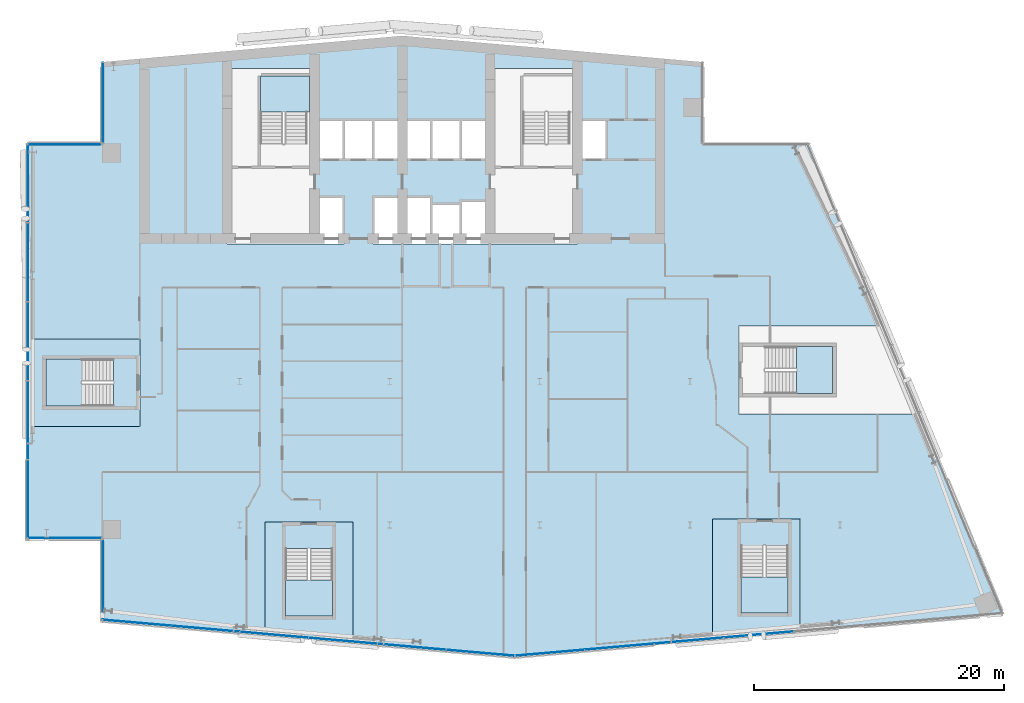
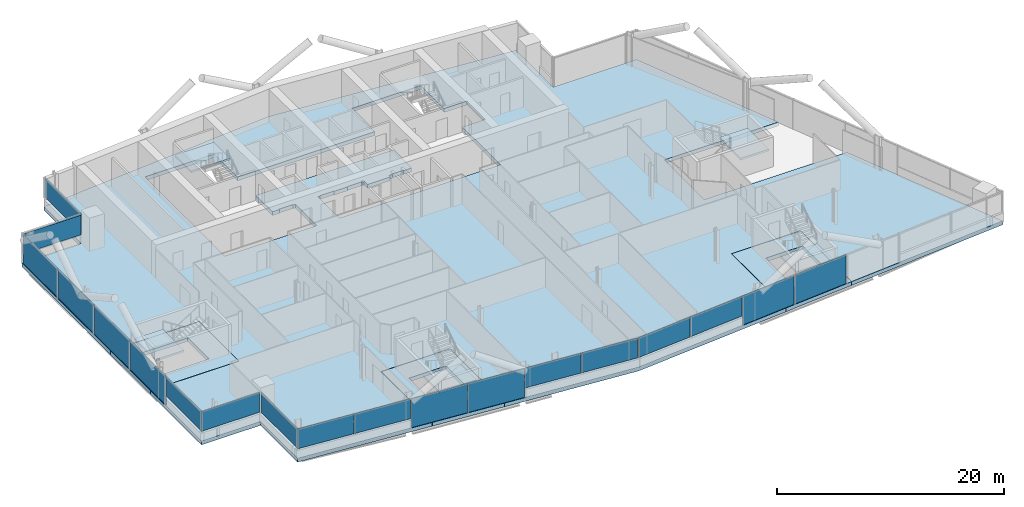
# One storey, part 13 of 26: 19 plates, 9 slabs, 12 elements without a shape of their own.
"""IFC4 building model written with IfcOpenShell, lengths in metres."""

from ifc_helpers import new_model, si_unit, direction, frame, origin, origin_2d, place, context, subcontext, project, spatial, polyline, rectangle, outline, extrude, material, layer, layer_set, type_object, element, aggregate, save


model = new_model("IFC4")

# Units and contexts
model_context = context("Model", 3, precision=1e-05, world=origin(), true_north=direction((0.0, 1.0)))
body_context = subcontext(model_context, "Body", "Model", "MODEL_VIEW")
ifc_project = project(units=[si_unit("LENGTHUNIT", "METRE"), si_unit("AREAUNIT", "SQUARE_METRE"), si_unit("VOLUMEUNIT", "CUBIC_METRE"), si_unit("PLANEANGLEUNIT", "RADIAN"), si_unit("MASSUNIT", "GRAM", prefix="KILO")], contexts=[model_context])

# Site, building, storey
site_placement = place(None, origin())
site = spatial("IfcSite", under=ifc_project, at=site_placement, CompositionType="ELEMENT")
building_placement = place(site_placement, origin())
building = spatial("IfcBuilding", under=site, at=building_placement, Name="Wharfspan Tower", CompositionType="ELEMENT")
storey_placement = place(building_placement, frame((0.0, 0.0, 169.899902)))
storey = spatial("IfcBuildingStorey", under=building, at=storey_placement, Name="L41", CompositionType="ELEMENT", Elevation=169.899902)

# Curtain wall, plates
ifc_material_1 = material(Name="Aluminium 6063-T6", Category="aluminium")
curtain_wall_type_1 = type_object("IfcCurtainWallType", Name="CURTAIN WALL FACETED FRONT", PredefinedType="NOTDEFINED", material=ifc_material_1)
curtain_wall_1_placement = place(storey_placement, origin())
curtain_wall_1 = element("IfcCurtainWall", 1, at=curtain_wall_1_placement, inside=storey, type_object=curtain_wall_type_1, Name="Curtain wall S1", PredefinedType="NOTDEFINED")
ifc_material_2 = material(Name="Glass clear low-iron double glazing", Category="glass")
ifc_layer_1 = layer(ifc_material_2, 0.040039)
ifc_layer_set_1 = layer_set([ifc_layer_1], Name="Glass clear low-iron double glazing")
plate_type_1 = type_object("IfcPlateType", Name="GLASS PANEL FACETED FRONT 40", PredefinedType="CURTAIN_PANEL", material=ifc_layer_set_1)
plate_1_placement = place(storey_placement, frame((15.770264, 3.692871, 1.0), z_axis=(0.0, 0.0, 1.0), x_axis=(0.996198, -0.087156, 0.0)))
plate_1 = element("IfcPlate", 2, at=plate_1_placement, type_object=plate_type_1, Name="Curtain wall S1 panel 1", PredefinedType="CURTAIN_PANEL", context=body_context, shape_type="SweptSolid", body=[
    extrude(rectangle(XDim=5.430908, YDim=0.040039, at=origin_2d()), origin(), (0.0, 0.0, 1.0), 2.120117),
])
plate_2_placement = place(storey_placement, frame((21.255127, 3.213135, 1.0), z_axis=(0.0, 0.0, 1.0), x_axis=(0.996198, -0.087156, 0.0)))
plate_2 = element("IfcPlate", 3, at=plate_2_placement, type_object=plate_type_1, Name="Curtain wall S1 panel 2", PredefinedType="CURTAIN_PANEL", context=body_context, shape_type="SweptSolid", body=[
    extrude(rectangle(XDim=5.460938, YDim=0.040039, at=origin_2d()), origin(), (0.0, 0.0, 1.0), 2.120117),
])
plate_3_placement = place(storey_placement, frame((37.755127, 1.769531, 1.0), z_axis=(0.0, 0.0, 1.0), x_axis=(0.996198, -0.087156, 0.0)))
plate_3 = element("IfcPlate", 4, at=plate_3_placement, type_object=plate_type_1, Name="Curtain wall S1 panel 5", PredefinedType="CURTAIN_PANEL", context=body_context, shape_type="SweptSolid", body=[
    extrude(rectangle(XDim=5.460938, YDim=0.040039, at=origin_2d()), origin(), (0.0, 0.0, 1.0), 2.120117),
])
plate_4_placement = place(storey_placement, frame((43.240234, 1.289551, 1.0), z_axis=(0.0, 0.0, 1.0), x_axis=(0.996198, -0.087156, 0.0)))
plate_4 = element("IfcPlate", 5, at=plate_4_placement, type_object=plate_type_1, Name="Curtain wall S1 panel 6", PredefinedType="CURTAIN_PANEL", context=body_context, shape_type="SweptSolid", body=[
    extrude(rectangle(XDim=5.430908, YDim=0.040039, at=origin_2d()), origin(), (0.0, 0.0, 1.0), 2.120117),
])

curtain_wall_2_placement = place(storey_placement, origin())
curtain_wall_2 = element("IfcCurtainWall", 6, at=curtain_wall_2_placement, inside=storey, type_object=curtain_wall_type_1, Name="Curtain wall S2", PredefinedType="NOTDEFINED")
plate_5_placement = place(storey_placement, frame((48.79541, 1.292725, 1.0), z_axis=(0.0, 0.0, 1.0), x_axis=(0.996198, 0.087156, 0.0)))
plate_5 = element("IfcPlate", 7, at=plate_5_placement, type_object=plate_type_1, Name="Curtain wall S2 panel 1", PredefinedType="CURTAIN_PANEL", context=body_context, shape_type="SweptSolid", body=[
    extrude(rectangle(XDim=5.502686, YDim=0.040039, at=origin_2d()), origin(), (0.0, 0.0, 1.0), 2.120117),
])
plate_6_placement = place(storey_placement, frame((54.351807, 1.778809, 1.0), z_axis=(0.0, 0.0, 1.0), x_axis=(0.996198, 0.087156, 0.0)))
plate_6 = element("IfcPlate", 8, at=plate_6_placement, type_object=plate_type_1, Name="Curtain wall S2 panel 2", PredefinedType="CURTAIN_PANEL", context=body_context, shape_type="SweptSolid", body=[
    extrude(rectangle(XDim=5.532715, YDim=0.040039, at=origin_2d()), origin(), (0.0, 0.0, 1.0), 2.120117),
])

# Curtain wall, plate
curtain_wall_type_2 = type_object("IfcCurtainWallType", Name="CURTAIN WALL PROW AND END", PredefinedType="NOTDEFINED", material=ifc_material_1)
curtain_wall_3_placement = place(storey_placement, origin())
curtain_wall_3 = element("IfcCurtainWall", 9, at=curtain_wall_3_placement, inside=storey, type_object=curtain_wall_type_2, Name="Curtain wall NRW-V", PredefinedType="NOTDEFINED")
ifc_layer_2 = layer(ifc_material_2, 0.040039)
ifc_layer_set_2 = layer_set([ifc_layer_2], Name="Glass clear low-iron double glazing")
plate_type_2 = type_object("IfcPlateType", Name="GLASS PANEL PROW AND END 40", PredefinedType="CURTAIN_PANEL", material=ifc_layer_set_2)
plate_7_placement = place(storey_placement, frame((13.080078, 45.262451, 1.0), z_axis=(0.0, 0.0, 1.0), x_axis=(0.0, -1.0, 0.0)))
plate_7 = element("IfcPlate", 10, at=plate_7_placement, type_object=plate_type_2, Name="Curtain wall NRW-V panel 1", PredefinedType="CURTAIN_PANEL", context=body_context, shape_type="SweptSolid", body=[
    extrude(rectangle(XDim=6.405029, YDim=0.040039, at=origin_2d()), origin(), (0.0, 0.0, 1.0), 2.120117),
])
aggregate(curtain_wall_3, [plate_7])

curtain_wall_4_placement = place(storey_placement, origin())
curtain_wall_4 = element("IfcCurtainWall", 11, at=curtain_wall_4_placement, inside=storey, type_object=curtain_wall_type_2, Name="Curtain wall NRW-H", PredefinedType="NOTDEFINED")
plate_8_placement = place(storey_placement, frame((10.0, 41.919922, 1.0), z_axis=(0.0, 0.0, 1.0), x_axis=(-1.0, 0.0, 0.0)))
plate_8 = element("IfcPlate", 12, at=plate_8_placement, type_object=plate_type_2, Name="Curtain wall NRW-H panel 1", PredefinedType="CURTAIN_PANEL", context=body_context, shape_type="SweptSolid", body=[
    extrude(rectangle(XDim=5.879883, YDim=0.040039, at=origin_2d()), origin(), (0.0, 0.0, 1.0), 2.120117),
])
aggregate(curtain_wall_4, [plate_8])

curtain_wall_5_placement = place(storey_placement, origin())
curtain_wall_5 = element("IfcCurtainWall", 13, at=curtain_wall_5_placement, inside=storey, type_object=curtain_wall_type_2, Name="Curtain wall W", PredefinedType="NOTDEFINED")
plate_9_placement = place(storey_placement, frame((7.080078, 13.574951, 1.0), z_axis=(0.0, 0.0, 1.0), x_axis=(0.0, -1.0, 0.0)))
plate_9 = element("IfcPlate", 14, at=plate_9_placement, type_object=plate_type_2, Name="Curtain wall W panel 5", PredefinedType="CURTAIN_PANEL", context=body_context, shape_type="SweptSolid", body=[
    extrude(rectangle(XDim=6.22998, YDim=0.040039, at=origin_2d()), origin(), (0.0, 0.0, 1.0), 2.120117),
])

curtain_wall_6_placement = place(storey_placement, origin())
curtain_wall_6 = element("IfcCurtainWall", 15, at=curtain_wall_6_placement, inside=storey, type_object=curtain_wall_type_2, Name="Curtain wall NFW-H", PredefinedType="NOTDEFINED")
plate_10_placement = place(storey_placement, frame((10.0, 10.47998, 1.0), z_axis=(0.0, 0.0, 1.0), x_axis=(1.0, 0.0, 0.0)))
plate_10 = element("IfcPlate", 16, at=plate_10_placement, type_object=plate_type_2, Name="Curtain wall NFW-H panel 1", PredefinedType="CURTAIN_PANEL", context=body_context, shape_type="SweptSolid", body=[
    extrude(rectangle(XDim=5.879883, YDim=0.040039, at=origin_2d()), origin(), (0.0, 0.0, 1.0), 2.120117),
])
aggregate(curtain_wall_6, [plate_10])

curtain_wall_7_placement = place(storey_placement, origin())
curtain_wall_7 = element("IfcCurtainWall", 17, at=curtain_wall_7_placement, inside=storey, type_object=curtain_wall_type_2, Name="Curtain wall NFW-V", PredefinedType="NOTDEFINED")
plate_11_placement = place(storey_placement, frame((13.080078, 7.137451, 1.0), z_axis=(0.0, 0.0, 1.0), x_axis=(0.0, -1.0, 0.0)))
plate_11 = element("IfcPlate", 18, at=plate_11_placement, type_object=plate_type_2, Name="Curtain wall NFW-V panel 1", PredefinedType="CURTAIN_PANEL", context=body_context, shape_type="SweptSolid", body=[
    extrude(rectangle(XDim=6.405029, YDim=0.040039, at=origin_2d()), origin(), (0.0, 0.0, 1.0), 2.120117),
])
aggregate(curtain_wall_7, [plate_11])

# Plate
ifc_material_3 = material(Name="Aluminium composite opaque insulated panel", Category="aluminium")
ifc_layer_3 = layer(ifc_material_3, 0.040039)
ifc_layer_set_3 = layer_set([ifc_layer_3], Name="Aluminium composite opaque insulated panel")
plate_type_3 = type_object("IfcPlateType", Name="INFILL PANEL FACETED FRONT OPAQUE 40", PredefinedType="SHEET", material=ifc_layer_set_3)
plate_12_placement = place(storey_placement, frame((26.755127, 2.731934, 0.0), z_axis=(0.0, 0.0, 1.0), x_axis=(0.996198, -0.087156, 0.0)))
plate_12 = element("IfcPlate", 19, at=plate_12_placement, type_object=plate_type_3, Name="Curtain wall S1 panel 3", PredefinedType="SHEET", context=body_context, shape_type="SweptSolid", body=[
    extrude(rectangle(XDim=5.460938, YDim=0.040039, at=origin_2d()), origin(), (0.0, 0.0, 1.0), 3.120117),
])

plate_13_placement = place(storey_placement, frame((32.255127, 2.250732, 0.0), z_axis=(0.0, 0.0, 1.0), x_axis=(0.996198, -0.087156, 0.0)))
plate_13 = element("IfcPlate", 20, at=plate_13_placement, type_object=plate_type_3, Name="Curtain wall S1 panel 4", PredefinedType="SHEET", context=body_context, shape_type="SweptSolid", body=[
    extrude(rectangle(XDim=5.460938, YDim=0.040039, at=origin_2d()), origin(), (0.0, 0.0, 1.0), 3.120117),
])

aggregate(curtain_wall_1, [plate_1, plate_2, plate_12, plate_13, plate_3, plate_4])

plate_14_placement = place(storey_placement, frame((59.92334, 2.266357, 0.0), z_axis=(0.0, 0.0, 1.0), x_axis=(0.996198, 0.087156, 0.0)))
plate_14 = element("IfcPlate", 21, at=plate_14_placement, type_object=plate_type_3, Name="Curtain wall S2 panel 3", PredefinedType="SHEET", context=body_context, shape_type="SweptSolid", body=[
    extrude(rectangle(XDim=5.532715, YDim=0.040039, at=origin_2d()), origin(), (0.0, 0.0, 1.0), 3.120117),
])

plate_15_placement = place(storey_placement, frame((65.494873, 2.753662, 0.0), z_axis=(0.0, 0.0, 1.0), x_axis=(0.996198, 0.087156, 0.0)))
plate_15 = element("IfcPlate", 22, at=plate_15_placement, type_object=plate_type_3, Name="Curtain wall S2 panel 4", PredefinedType="SHEET", context=body_context, shape_type="SweptSolid", body=[
    extrude(rectangle(XDim=5.532715, YDim=0.040039, at=origin_2d()), origin(), (0.0, 0.0, 1.0), 3.120117),
])

aggregate(curtain_wall_2, [plate_5, plate_6, plate_14, plate_15])

ifc_layer_4 = layer(ifc_material_3, 0.040039)
ifc_layer_set_4 = layer_set([ifc_layer_4], Name="Aluminium composite opaque insulated panel")
plate_type_4 = type_object("IfcPlateType", Name="INFILL PANEL PROW AND END OPAQUE 40", PredefinedType="SHEET", material=ifc_layer_set_4)
plate_16_placement = place(storey_placement, frame((7.080078, 38.824951, 0.0), z_axis=(0.0, 0.0, 1.0), x_axis=(0.0, -1.0, 0.0)))
plate_16 = element("IfcPlate", 23, at=plate_16_placement, type_object=plate_type_4, Name="Curtain wall W panel 1", PredefinedType="SHEET", context=body_context, shape_type="SweptSolid", body=[
    extrude(rectangle(XDim=6.22998, YDim=0.040039, at=origin_2d()), origin(), (0.0, 0.0, 1.0), 3.120117),
])

plate_17_placement = place(storey_placement, frame((7.080078, 32.52002, 0.0), z_axis=(0.0, 0.0, 1.0), x_axis=(0.0, -1.0, 0.0)))
plate_17 = element("IfcPlate", 24, at=plate_17_placement, type_object=plate_type_4, Name="Curtain wall W panel 2", PredefinedType="SHEET", context=body_context, shape_type="SweptSolid", body=[
    extrude(rectangle(XDim=6.26001, YDim=0.040039, at=origin_2d()), origin(), (0.0, 0.0, 1.0), 3.120117),
])

plate_18_placement = place(storey_placement, frame((7.080078, 26.199951, 0.0), z_axis=(0.0, 0.0, 1.0), x_axis=(0.0, -1.0, 0.0)))
plate_18 = element("IfcPlate", 25, at=plate_18_placement, type_object=plate_type_4, Name="Curtain wall W panel 3", PredefinedType="SHEET", context=body_context, shape_type="SweptSolid", body=[
    extrude(rectangle(XDim=6.26001, YDim=0.040039, at=origin_2d()), origin(), (0.0, 0.0, 1.0), 3.120117),
])

plate_19_placement = place(storey_placement, frame((7.080078, 19.879883, 0.0), z_axis=(0.0, 0.0, 1.0), x_axis=(0.0, -1.0, 0.0)))
plate_19 = element("IfcPlate", 26, at=plate_19_placement, type_object=plate_type_4, Name="Curtain wall W panel 4", PredefinedType="SHEET", context=body_context, shape_type="SweptSolid", body=[
    extrude(rectangle(XDim=6.26001, YDim=0.040039, at=origin_2d()), origin(), (0.0, 0.0, 1.0), 3.120117),
])

aggregate(curtain_wall_5, [plate_16, plate_17, plate_18, plate_19, plate_9])

# Slabs
ifc_material_4 = material(Name="Concrete C40/50", Category="concrete")
ifc_layer_5 = layer(ifc_material_4, 0.399902)
ifc_layer_set_5 = layer_set([ifc_layer_5], Name="Concrete C40/50")
slab_type_1 = type_object("IfcSlabType", Name="Post-tensioned flat slab 400", PredefinedType="FLOOR", material=ifc_layer_set_5)
slab_1_placement = place(storey_placement, frame((0.0, 0.0, -0.400146)))
element("IfcSlab", 27, at=slab_1_placement, inside=storey, type_object=slab_type_1, Name="Floor slab L41", PredefinedType="FLOOR", context=body_context, shape_type="SweptSolid", body=[
    extrude(outline(polyline([(26.029297, 2.735107), (26.029297, 11.744385), (33.049316, 11.744385), (33.049316, 2.121094), (46.0, 0.987793), (61.801514, 2.370361), (61.801514, 11.993652), (68.821289, 11.993652), (68.821289, 2.984619), (85.0, 4.399902), (78.398682, 20.389893), (63.894531, 20.389893), (63.894531, 27.409912), (75.500488, 27.409912), (69.477051, 42.0), (61.0, 42.0), (61.0, 48.524902), (37.0, 50.624756), (13.0, 48.524902), (13.0, 42.0), (7.0, 42.0), (7.0, 26.409912), (16.01001, 26.409912), (16.01001, 19.389893), (7.0, 19.389893), (7.0, 10.399902), (13.0, 10.399902), (13.0, 3.875), (26.029297, 2.735107)]), holes=[polyline([(32.126709, 37.76001), (32.343262, 37.76001), (32.343262, 33.98999), (22.98999, 33.98999), (22.98999, 48.01001), (30.01001, 48.01001), (30.01001, 43.909912), (43.98999, 43.909912), (43.98999, 48.01001), (51.01001, 48.01001), (51.01001, 43.909912), (53.343262, 43.909912), (53.343262, 40.689941), (51.01001, 40.689941), (51.01001, 33.98999), (34.656738, 33.98999), (34.656738, 37.76001), (34.873291, 37.76001), (34.873291, 37.810059), (36.293213, 37.810059), (36.293213, 37.76001), (37.666748, 37.76001), (37.666748, 37.810059), (39.166748, 37.810059), (39.166748, 37.76001), (39.343262, 37.76001), (39.343262, 37.209961), (41.656738, 37.209961), (41.656738, 37.459961), (42.023193, 37.459961), (42.023193, 37.51001), (43.143311, 37.51001), (43.143311, 37.459961), (43.98999, 37.459961), (43.98999, 40.689941), (30.01001, 40.689941), (30.01001, 37.76001), (30.706787, 37.76001), (30.706787, 37.810059), (32.126709, 37.810059), (32.126709, 37.76001)])]), origin(), (0.0, 0.0, 1.0), 0.400146),
])
slab_2_placement = place(storey_placement, frame((0.0, 0.0, -0.400146)))
element("IfcSlab", 28, at=slab_2_placement, inside=storey, type_object=slab_type_1, Name="Core floor slab L41 part 1", PredefinedType="FLOOR", context=body_context, shape_type="SweptSolid", body=[
    extrude(outline(polyline([(16.0, 20.725098), (16.0, 25.074951), (16.0, 26.399902), (7.0, 26.399902), (7.0, 19.399902), (16.0, 19.399902), (16.0, 20.725098)]), holes=[polyline([(13.899902, 24.7771), (13.900146, 24.7771), (13.900391, 24.7771), (13.900635, 24.776855), (13.900879, 24.776855), (13.900879, 24.776855), (13.901123, 24.776611), (13.901367, 24.776611), (13.901367, 24.776367), (13.901611, 24.776367), (13.901611, 24.776123), (13.901855, 24.775879), (13.901855, 24.775879), (13.901855, 24.775635), (13.9021, 24.775391), (13.9021, 24.775146), (13.9021, 24.774902), (13.9021, 21.024902), (13.9021, 21.024902), (13.9021, 21.024658), (13.901855, 21.024414), (13.901855, 21.02417), (13.901855, 21.02417), (13.901611, 21.023926), (13.901611, 21.023682), (13.901367, 21.023682), (13.901367, 21.023438), (13.901123, 21.023193), (13.900879, 21.023193), (13.900879, 21.023193), (13.900635, 21.023193), (13.900391, 21.022949), (13.900146, 21.022949), (13.899902, 21.022949), (8.5, 21.022949), (8.499756, 21.022949), (8.499512, 21.022949), (8.499512, 21.023193), (8.499268, 21.023193), (8.499023, 21.023193), (8.498779, 21.023193), (8.498779, 21.023438), (8.498535, 21.023682), (8.498535, 21.023682), (8.498291, 21.023926), (8.498291, 21.02417), (8.498291, 21.02417), (8.498047, 21.024414), (8.498047, 21.024658), (8.498047, 21.024902), (8.498047, 21.024902), (8.498047, 24.774902), (8.498047, 24.775146), (8.498047, 24.775391), (8.498047, 24.775635), (8.498291, 24.775879), (8.498291, 24.775879), (8.498291, 24.776123), (8.498535, 24.776367), (8.498535, 24.776367), (8.498779, 24.776611), (8.498779, 24.776611), (8.499023, 24.776855), (8.499268, 24.776855), (8.499512, 24.776855), (8.499512, 24.7771), (8.499756, 24.7771), (8.5, 24.7771), (13.899902, 24.7771)])]), origin(), (0.0, 0.0, 1.0), 0.400146),
])
slab_3_placement = place(storey_placement, frame((0.0, 0.0, -0.400146)))
element("IfcSlab", 29, at=slab_3_placement, inside=storey, type_object=slab_type_1, Name="Core floor slab L41 part 2", PredefinedType="FLOOR", context=body_context, shape_type="SweptSolid", body=[
    extrude(outline(polyline([(31.714111, 11.734375), (27.364258, 11.734375), (26.039307, 11.734375), (26.039307, 2.734375), (33.039307, 2.121826), (33.039307, 11.734375), (31.714111, 11.734375)]), holes=[polyline([(27.662109, 9.634277), (27.662109, 9.634521), (27.662354, 9.634766), (27.662354, 9.63501), (27.662354, 9.63501), (27.662598, 9.635254), (27.662598, 9.635498), (27.662598, 9.635498), (27.662842, 9.635742), (27.663086, 9.635742), (27.663086, 9.635986), (27.66333, 9.635986), (27.663574, 9.635986), (27.663574, 9.63623), (27.663818, 9.63623), (27.664062, 9.63623), (27.664307, 9.63623), (31.414307, 9.63623), (31.414307, 9.63623), (31.414551, 9.63623), (31.414795, 9.63623), (31.415039, 9.635986), (31.415283, 9.635986), (31.415283, 9.635986), (31.415527, 9.635742), (31.415527, 9.635742), (31.415771, 9.635498), (31.416016, 9.635498), (31.416016, 9.635254), (31.416016, 9.63501), (31.416016, 9.63501), (31.41626, 9.634766), (31.41626, 9.634521), (31.41626, 9.634277), (31.41626, 4.234375), (31.41626, 4.234131), (31.41626, 4.233887), (31.416016, 4.233643), (31.416016, 4.233398), (31.416016, 4.233398), (31.416016, 4.233154), (31.415771, 4.23291), (31.415527, 4.23291), (31.415527, 4.232666), (31.415283, 4.232666), (31.415283, 4.232422), (31.415039, 4.232422), (31.414795, 4.232422), (31.414551, 4.232422), (31.414307, 4.232422), (31.414307, 4.232422), (27.664307, 4.232422), (27.664062, 4.232422), (27.663818, 4.232422), (27.663574, 4.232422), (27.663574, 4.232422), (27.66333, 4.232422), (27.663086, 4.232666), (27.663086, 4.232666), (27.662842, 4.23291), (27.662598, 4.23291), (27.662598, 4.233154), (27.662598, 4.233398), (27.662354, 4.233398), (27.662354, 4.233643), (27.662354, 4.233887), (27.662109, 4.234131), (27.662109, 4.234375), (27.662109, 9.634277)])]), origin(), (0.0, 0.0, 1.0), 0.400146),
])
slab_4_placement = place(storey_placement, frame((0.0, 0.0, -0.400146)))
element("IfcSlab", 30, at=slab_4_placement, inside=storey, type_object=slab_type_1, Name="Core floor slab L41 part 4", PredefinedType="FLOOR", context=body_context, shape_type="SweptSolid", body=[
    extrude(outline(polyline([(68.811279, 11.983643), (68.136475, 11.983643), (63.786377, 11.983643), (61.811279, 11.983643), (61.811279, 2.371338), (68.811279, 2.983643), (68.811279, 11.983643)]), holes=[polyline([(64.084473, 9.883789), (64.084473, 9.883789), (64.084473, 9.884033), (64.084473, 9.884277), (64.084473, 9.884521), (64.084717, 9.884521), (64.084717, 9.884766), (64.084717, 9.88501), (64.084961, 9.88501), (64.085205, 9.885254), (64.085205, 9.885254), (64.085449, 9.885498), (64.085693, 9.885498), (64.085693, 9.885498), (64.085938, 9.885498), (64.086182, 9.885742), (64.086426, 9.885742), (67.836426, 9.885742), (67.836426, 9.885742), (67.83667, 9.885498), (67.836914, 9.885498), (67.837158, 9.885498), (67.837402, 9.885498), (67.837402, 9.885254), (67.837646, 9.885254), (67.837891, 9.88501), (67.837891, 9.88501), (67.837891, 9.884766), (67.838135, 9.884521), (67.838135, 9.884521), (67.838379, 9.884277), (67.838379, 9.884033), (67.838379, 9.883789), (67.838379, 9.883789), (67.838379, 4.483643), (67.838379, 4.483398), (67.838379, 4.483398), (67.838379, 4.483154), (67.838135, 4.48291), (67.838135, 4.482666), (67.837891, 4.482666), (67.837891, 4.482422), (67.837891, 4.482422), (67.837646, 4.482178), (67.837402, 4.481934), (67.837402, 4.481934), (67.837158, 4.481689), (67.836914, 4.481689), (67.83667, 4.481689), (67.836426, 4.481689), (67.836426, 4.481689), (64.086426, 4.481689), (64.086182, 4.481689), (64.085938, 4.481689), (64.085693, 4.481689), (64.085693, 4.481689), (64.085449, 4.481934), (64.085205, 4.481934), (64.085205, 4.482178), (64.084961, 4.482422), (64.084717, 4.482422), (64.084717, 4.482666), (64.084717, 4.482666), (64.084473, 4.48291), (64.084473, 4.483154), (64.084473, 4.483398), (64.084473, 4.483398), (64.084473, 4.483643), (64.084473, 9.883789)])]), origin(), (0.0, 0.0, 1.0), 0.400146),
])

# Stair, slab
stair_type = type_object("IfcStairType", Name="Half-turn stair 20 risers 180 mm", PredefinedType="HALF_TURN_STAIR", material=ifc_material_4)
stair_1_placement = place(storey_placement, origin())
stair_1 = element("IfcStair", 31, at=stair_1_placement, inside=storey, type_object=stair_type, Name="L41 stair ST1", PredefinedType="HALF_TURN_STAIR")
ifc_layer_6 = layer(ifc_material_4, 0.199951)
ifc_layer_set_6 = layer_set([ifc_layer_6], Name="Concrete C40/50")
slab_type_2 = type_object("IfcSlabType", Name="Stair landing 200", PredefinedType="LANDING", material=ifc_layer_set_6)
slab_5_placement = place(storey_placement, frame((0.0, 0.0, 1.599854)))
slab_5 = element("IfcSlab", 32, at=slab_5_placement, type_object=slab_type_2, Name="ST1 landing 1", PredefinedType="LANDING", context=body_context, shape_type="SweptSolid", body=[
    extrude(outline(polyline([(25.649902, 44.52002), (29.600098, 44.52002), (29.600098, 47.399902), (25.649902, 47.399902), (25.649902, 44.52002)])), origin(), (0.0, 0.0, 1.0), 0.200195),
])
aggregate(stair_1, [slab_5])

stair_2_placement = place(storey_placement, origin())
stair_2 = element("IfcStair", 33, at=stair_2_placement, inside=storey, type_object=stair_type, Name="L41 stair ST3", PredefinedType="HALF_TURN_STAIR")
slab_6_placement = place(storey_placement, frame((0.0, 0.0, 1.599854)))
slab_6 = element("IfcSlab", 34, at=slab_6_placement, type_object=slab_type_2, Name="ST3 landing 1", PredefinedType="LANDING", context=body_context, shape_type="SweptSolid", body=[
    extrude(outline(polyline([(11.379883, 24.774902), (8.5, 24.774902), (8.5, 21.024902), (11.379883, 21.024902), (11.379883, 24.774902)])), origin(), (0.0, 0.0, 1.0), 0.200195),
])
aggregate(stair_2, [slab_6])

stair_3_placement = place(storey_placement, origin())
stair_3 = element("IfcStair", 35, at=stair_3_placement, inside=storey, type_object=stair_type, Name="L41 stair ST4", PredefinedType="HALF_TURN_STAIR")
slab_7_placement = place(storey_placement, frame((0.0, 0.0, 1.599854)))
slab_7 = element("IfcSlab", 36, at=slab_7_placement, type_object=slab_type_2, Name="ST4 landing 1", PredefinedType="LANDING", context=body_context, shape_type="SweptSolid", body=[
    extrude(outline(polyline([(27.664307, 7.114258), (27.664307, 4.234375), (31.414307, 4.234375), (31.414307, 7.114258), (27.664307, 7.114258)])), origin(), (0.0, 0.0, 1.0), 0.200195),
])
aggregate(stair_3, [slab_7])

stair_4_placement = place(storey_placement, origin())
stair_4 = element("IfcStair", 37, at=stair_4_placement, inside=storey, type_object=stair_type, Name="L41 stair ST5", PredefinedType="HALF_TURN_STAIR")
slab_8_placement = place(storey_placement, frame((0.0, 0.0, 1.599854)))
slab_8 = element("IfcSlab", 38, at=slab_8_placement, type_object=slab_type_2, Name="ST5 landing 1", PredefinedType="LANDING", context=body_context, shape_type="SweptSolid", body=[
    extrude(outline(polyline([(64.086426, 7.36377), (64.086426, 4.483643), (67.836426, 4.483643), (67.836426, 7.36377), (64.086426, 7.36377)])), origin(), (0.0, 0.0, 1.0), 0.200195),
])
aggregate(stair_4, [slab_8])

stair_5_placement = place(storey_placement, origin())
stair_5 = element("IfcStair", 39, at=stair_5_placement, inside=storey, type_object=stair_type, Name="L41 stair ST6", PredefinedType="HALF_TURN_STAIR")
slab_9_placement = place(storey_placement, frame((0.0, 0.0, 1.599854)))
slab_9 = element("IfcSlab", 40, at=slab_9_placement, type_object=slab_type_2, Name="ST6 landing 1", PredefinedType="LANDING", context=body_context, shape_type="SweptSolid", body=[
    extrude(outline(polyline([(68.524658, 22.024902), (71.404541, 22.024902), (71.404541, 25.774902), (68.524658, 25.774902), (68.524658, 22.024902)])), origin(), (0.0, 0.0, 1.0), 0.200195),
])
aggregate(stair_5, [slab_9])

save(model, "model.ifc")
